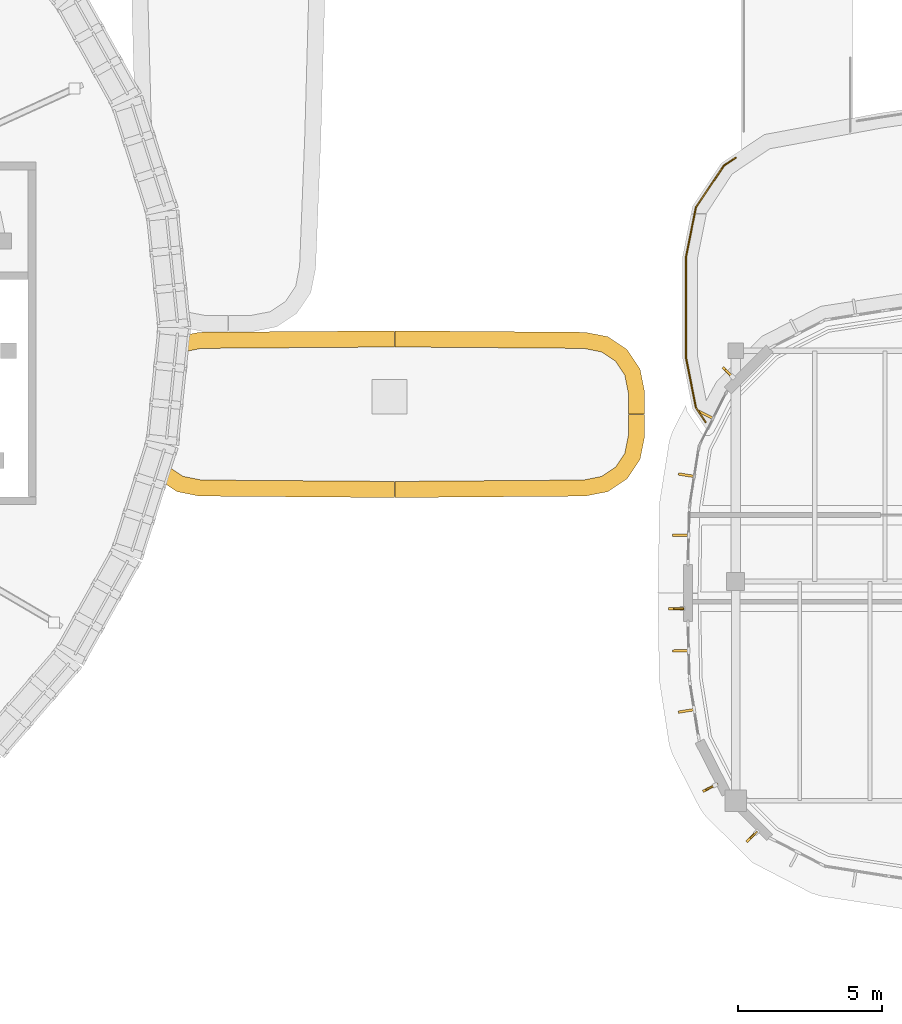
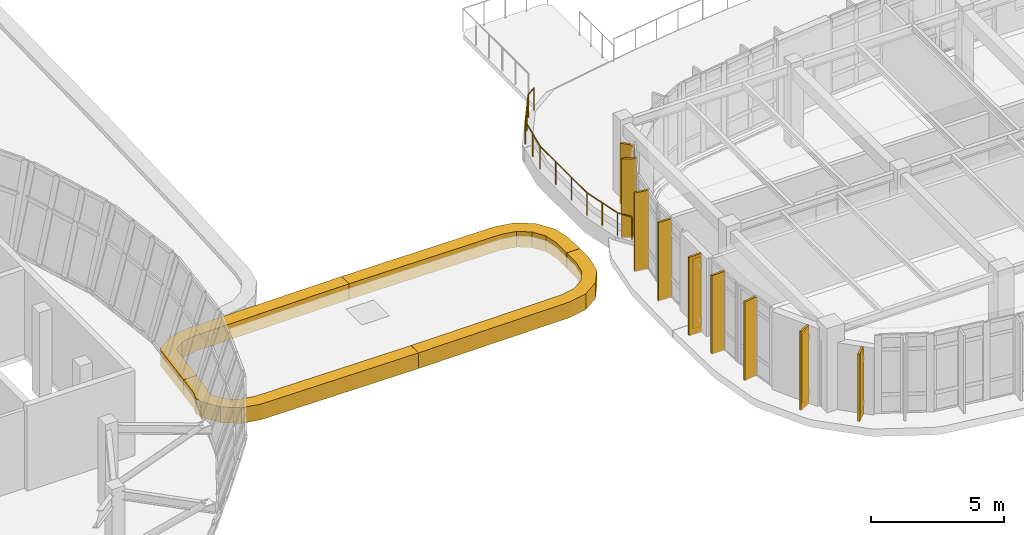
# One storey, part 98 of 111: 13 coverings, 4 shading devices, 2 railings.
"""IFC4 building model written with IfcOpenShell, lengths in metres."""

from ifc_helpers import new_model, si_unit, direction, frame, origin, origin_2d, place, context, subcontext, project, spatial, polyline, rectangle, circle, outline, extrude, material, layer, layer_set, type_object, element, save


model = new_model("IFC4")

# Units and contexts
model_context = context("Model", 3, precision=1e-05, world=origin(), true_north=direction((0.0, 1.0)))
body_context = subcontext(model_context, "Body", "Model", "MODEL_VIEW")
ifc_project = project(units=[si_unit("LENGTHUNIT", "METRE"), si_unit("AREAUNIT", "SQUARE_METRE"), si_unit("VOLUMEUNIT", "CUBIC_METRE"), si_unit("PLANEANGLEUNIT", "RADIAN"), si_unit("MASSUNIT", "GRAM", prefix="KILO")], contexts=[model_context])

# Site, building, storey
site_placement = place(None, origin())
site = spatial("IfcSite", under=ifc_project, at=site_placement, CompositionType="ELEMENT")
building_placement = place(site_placement, origin())
building = spatial("IfcBuilding", under=site, at=building_placement, Name="Corveleigh Park Community Centre", CompositionType="ELEMENT")
storey_placement = place(building_placement, frame((0.0, 0.0, 4.800048828125)))
storey = spatial("IfcBuildingStorey", under=building, at=storey_placement, Name="L01", CompositionType="ELEMENT", Elevation=4.800048828125)

# Coverings
ifc_material_1 = material(Name="Warm buff ribbed architectural cladding", Category="masonry")
ifc_layer_1 = layer(ifc_material_1, 0.0849609375, Name="Warm buff ribbed architectural cladding", Category="masonry")
ifc_layer_set_1 = layer_set([ifc_layer_1], Name="Warm buff ribbed architectural cladding")
covering_type_1 = type_object("IfcCoveringType", Name="COV-CLD-BUF", PredefinedType="CLADDING", material=ifc_layer_set_1)
covering_1_placement = place(storey_placement, origin())
element("IfcCovering", 1, at=covering_1_placement, inside=storey, type_object=covering_type_1, Name="V3 L01 Brise-soleil blade 231", PredefinedType="CLADDING", context=body_context, shape_type="SweptSolid", body=[
    extrude(outline(polyline([(71.905029296875, 25.822021484375), (71.965087890625, 25.882080078125), (71.5859375, 26.260009765625), (71.52587890625, 26.199951171875), (71.905029296875, 25.822021484375)])), origin(), (0.0, 0.0, 1.0), 3.119873046875),
])
covering_2_placement = place(storey_placement, origin())
element("IfcCovering", 2, at=covering_2_placement, inside=storey, type_object=covering_type_1, Name="V3 L01 Brise-soleil blade 232", PredefinedType="CLADDING", context=body_context, shape_type="SweptSolid", body=[
    extrude(outline(polyline([(71.215087890625, 24.402099609375), (71.2529296875, 24.47802734375), (70.736083984375, 24.740966796875), (70.697998046875, 24.6650390625), (71.215087890625, 24.402099609375)])), origin(), (0.0, 0.0, 1.0), 3.612060546875),
])
covering_3_placement = place(storey_placement, origin())
element("IfcCovering", 3, at=covering_3_placement, inside=storey, type_object=covering_type_1, Name="V3 L01 Brise-soleil blade 233", PredefinedType="CLADDING", context=body_context, shape_type="SweptSolid", body=[
    extrude(outline(polyline([(70.577880859375, 22.39599609375), (70.591064453125, 22.47998046875), (70.01904296875, 22.571044921875), (70.0048828125, 22.487060546875), (70.577880859375, 22.39599609375)])), origin(), (0.0, 0.0, 1.0), 3.612060546875),
])
covering_4_placement = place(storey_placement, origin())
element("IfcCovering", 4, at=covering_4_placement, inside=storey, type_object=covering_type_1, Name="V3 L01 Brise-soleil blade 234", PredefinedType="CLADDING", context=body_context, shape_type="SweptSolid", body=[
    extrude(outline(polyline([(70.39306640625, 20.35205078125), (70.39501953125, 20.43701171875), (69.81494140625, 20.451904296875), (69.81298828125, 20.366943359375), (70.39306640625, 20.35205078125)])), origin(), (0.0, 0.0, 1.0), 3.612060546875),
])
covering_5_placement = place(storey_placement, origin())
element("IfcCovering", 5, at=covering_5_placement, inside=storey, type_object=covering_type_1, Name="V3 L01 Brise-soleil blade 235", PredefinedType="CLADDING", context=body_context, shape_type="SweptSolid", body=[
    extrude(outline(polyline([(70.212890625, 17.81591796875), (70.212890625, 17.90087890625), (69.677978515625, 17.90087890625), (69.677978515625, 17.81591796875), (70.212890625, 17.81591796875)])), origin(), (0.0, 0.0, 1.0), 3.612060546875),
])
covering_6_placement = place(storey_placement, origin())
element("IfcCovering", 6, at=covering_6_placement, inside=storey, type_object=covering_type_1, Name="V3 L01 Brise-soleil blade 236", PredefinedType="CLADDING", context=body_context, shape_type="SweptSolid", body=[
    extrude(outline(polyline([(70.39501953125, 16.363037109375), (70.39306640625, 16.447998046875), (69.81298828125, 16.43310546875), (69.81494140625, 16.347900390625), (70.39501953125, 16.363037109375)])), origin(), (0.0, 0.0, 1.0), 3.612060546875),
])
covering_7_placement = place(storey_placement, origin())
element("IfcCovering", 7, at=covering_7_placement, inside=storey, type_object=covering_type_1, Name="V3 L01 Brise-soleil blade 237", PredefinedType="CLADDING", context=body_context, shape_type="SweptSolid", body=[
    extrude(outline(polyline([(70.591064453125, 14.320068359375), (70.577880859375, 14.404052734375), (70.0048828125, 14.31298828125), (70.01904296875, 14.22900390625), (70.591064453125, 14.320068359375)])), origin(), (0.0, 0.0, 1.0), 3.619873046875),
])
covering_8_placement = place(storey_placement, origin())
element("IfcCovering", 8, at=covering_8_placement, inside=storey, type_object=covering_type_1, Name="V3 L01 Brise-soleil blade 238", PredefinedType="CLADDING", context=body_context, shape_type="SweptSolid", body=[
    extrude(outline(polyline([(71.35888671875, 11.72998046875), (71.320068359375, 11.804931640625), (70.843994140625, 11.56201171875), (70.882080078125, 11.487060546875), (71.35888671875, 11.72998046875)])), origin(), (0.0, 0.0, 1.0), 3.619873046875),
])
covering_9_placement = place(storey_placement, origin())
element("IfcCovering", 9, at=covering_9_placement, inside=storey, type_object=covering_type_1, Name="V3 L01 Brise-soleil blade 239", PredefinedType="CLADDING", context=body_context, shape_type="SweptSolid", body=[
    extrude(outline(polyline([(72.7919921875, 10.118896484375), (72.73193359375, 10.178955078125), (72.35400390625, 9.801025390625), (72.4140625, 9.739990234375), (72.7919921875, 10.118896484375)])), origin(), (0.0, 0.0, 1.0), 3.10791015625),
])
ifc_material_2 = material(Name="White architectural fascia cladding", Category="masonry")
ifc_layer_2 = layer(ifc_material_2, 0.074951171875, Name="White architectural fascia cladding", Category="masonry")
ifc_layer_set_2 = layer_set([ifc_layer_2], Name="White architectural fascia cladding")
covering_type_2 = type_object("IfcCoveringType", Name="COV-CLD-WHT", PredefinedType="CLADDING", material=ifc_layer_set_2)
covering_10_placement = place(storey_placement, frame((0.0, 0.0, -0.52001953125)))
element("IfcCovering", 10, at=covering_10_placement, inside=storey, type_object=covering_type_2, Name="Covered Passage South Canopy White Fascia 1", PredefinedType="CLADDING", context=body_context, shape_type="SweptSolid", body=[
    extrude(outline(polyline([(60.181884765625, 27.489990234375), (66.7919921875, 27.43896484375), (67.570068359375, 27.283935546875), (68.23193359375, 26.843017578125), (68.68603515625, 26.1630859375), (68.840087890625, 25.384033203125), (68.841064453125, 24.60009765625), (68.281005859375, 24.59912109375), (68.280029296875, 25.33203125), (68.156982421875, 25.951904296875), (67.8349609375, 26.43505859375), (67.35205078125, 26.757080078125), (66.72900390625, 26.881103515625), (60.181884765625, 26.929931640625), (60.181884765625, 27.489990234375)])), origin(), (0.0, 0.0, 1.0), 0.719970703125),
])
covering_11_placement = place(storey_placement, frame((0.0, 0.0, -0.52001953125)))
element("IfcCovering", 11, at=covering_11_placement, inside=storey, type_object=covering_type_2, Name="Covered Passage South Canopy White Fascia 2", PredefinedType="CLADDING", context=body_context, shape_type="SweptSolid", body=[
    extrude(outline(polyline([(51.968017578125, 26.843017578125), (52.6298828125, 27.283935546875), (53.4150390625, 27.43994140625), (60.179931640625, 27.489990234375), (60.179931640625, 26.929931640625), (53.469970703125, 26.881103515625), (52.847900390625, 26.757080078125), (52.4208984375, 26.472900390625), (52.22705078125, 24.59912109375), (51.6640625, 24.60009765625), (51.883056640625, 26.712890625), (51.968017578125, 26.843017578125)])), origin(), (0.0, 0.0, 1.0), 0.719970703125),
])
covering_12_placement = place(storey_placement, frame((0.0, 0.0, -0.52001953125)))
element("IfcCovering", 12, at=covering_12_placement, inside=storey, type_object=covering_type_2, Name="Covered Passage South Canopy White Fascia 3", PredefinedType="CLADDING", context=body_context, shape_type="SweptSolid", body=[
    extrude(outline(polyline([(60.179931640625, 21.708984375), (53.407958984375, 21.760986328125), (52.6298828125, 21.916015625), (51.968017578125, 22.35693359375), (51.51611328125, 23.030029296875), (51.45703125, 23.325927734375), (51.572021484375, 23.7041015625), (51.6630859375, 24.591064453125), (52.22607421875, 24.591064453125), (52.1279296875, 23.64208984375), (52.04296875, 23.2470703125), (52.364990234375, 22.764892578125), (52.847900390625, 22.443115234375), (53.470947265625, 22.319091796875), (60.179931640625, 22.26904296875), (60.179931640625, 21.708984375)])), origin(), (0.0, 0.0, 1.0), 0.719970703125),
])
covering_13_placement = place(storey_placement, frame((0.0, 0.0, -0.52001953125)))
element("IfcCovering", 13, at=covering_13_placement, inside=storey, type_object=covering_type_2, Name="Covered Passage South Canopy White Fascia 4", PredefinedType="CLADDING", context=body_context, shape_type="SweptSolid", body=[
    extrude(outline(polyline([(68.840087890625, 23.81591796875), (68.68408203125, 23.030029296875), (68.242919921875, 22.367919921875), (67.56298828125, 21.9140625), (66.784912109375, 21.760009765625), (60.181884765625, 21.708984375), (60.181884765625, 22.26904296875), (66.72998046875, 22.319091796875), (67.35205078125, 22.443115234375), (67.8349609375, 22.764892578125), (68.156982421875, 23.248046875), (68.280029296875, 23.866943359375), (68.281005859375, 24.591064453125), (68.841064453125, 24.591064453125), (68.840087890625, 23.81591796875)])), origin(), (0.0, 0.0, 1.0), 0.719970703125),
])

# Railings
ifc_material_3 = material(Name="Stainless steel 316 balustrade", Category="steel")
railing_type = type_object("IfcRailingType", Name="RLG-BAL-EXT-1100", PredefinedType="BALUSTRADE", material=ifc_material_3)
railing_1_placement = place(storey_placement, frame((70.6201171875, 24.8310546875, 0.0)))
element("IfcRailing", 14, at=railing_1_placement, inside=storey, type_object=railing_type, Name="Banquet Courtyard Roof Terrace guard 4", PredefinedType="BALUSTRADE", context=body_context, shape_type="SweptSolid", body=[
    extrude(circle(Radius=0.02392578125, at=origin_2d()), frame((0.0, 0.0, 1.076171875), z_axis=(-0.194744804061, 0.980853944933, 0.0), x_axis=(-0.980853944933, -0.194744804061, 0.0)), (0.0, 0.0, 1.0), 1.746337890625),
    extrude(circle(Radius=0.02392578125, at=origin_2d()), frame((-0.340087890625, 1.712890625, 1.076171875), z_axis=(0.0, 1.0, 0.0), x_axis=(-1.0, 0.0, 0.0)), (0.0, 0.0, 1.0), 3.511962890625),
    extrude(circle(Radius=0.02392578125, at=origin_2d()), frame((-0.340087890625, 5.224853515625, 1.076171875), z_axis=(0.194718103117, 0.980859245926, 0.0), x_axis=(-0.980859245926, 0.194718103117, 0.0)), (0.0, 0.0, 1.0), 1.74658203125),
    extrude(circle(Radius=0.02392578125, at=origin_2d()), frame((0.0, 6.93798828125, 1.076171875), z_axis=(0.556385072784, 0.830924575869, 0.0), x_axis=(-0.830924575869, 0.556385072784, 0.0)), (0.0, 0.0, 1.0), 1.737548828125),
    extrude(circle(Radius=0.02392578125, at=origin_2d()), frame((0.966796875, 8.3818359375, 1.076171875), z_axis=(0.830461180334, 0.557076500992, 0.0), x_axis=(-0.557076500992, 0.830461180334, 0.0)), (0.0, 0.0, 1.0), 0.497314453125),
    extrude(circle(Radius=0.02099609375, at=origin_2d()), origin(), (0.0, 0.0, 1.0), 1.052001953125),
    extrude(circle(Radius=0.02099609375, at=origin_2d()), frame((-0.169921875, 0.8564453125, 0.0)), (0.0, 0.0, 1.0), 1.052001953125),
    extrude(circle(Radius=0.02099609375, at=origin_2d()), frame((-0.340087890625, 1.712890625, 0.0)), (0.0, 0.0, 1.0), 1.052001953125),
    extrude(circle(Radius=0.02099609375, at=origin_2d()), frame((-0.340087890625, 2.883544921875, 0.0)), (0.0, 0.0, 1.0), 1.052001953125),
    extrude(circle(Radius=0.02099609375, at=origin_2d()), frame((-0.340087890625, 4.05419921875, 0.0)), (0.0, 0.0, 1.0), 1.052001953125),
    extrude(circle(Radius=0.02099609375, at=origin_2d()), frame((-0.340087890625, 5.224853515625, 0.0)), (0.0, 0.0, 1.0), 1.052001953125),
    extrude(circle(Radius=0.02099609375, at=origin_2d()), frame((-0.169921875, 6.08154296875, 0.0)), (0.0, 0.0, 1.0), 1.052001953125),
    extrude(circle(Radius=0.02099609375, at=origin_2d()), frame((0.0, 6.93798828125, 0.0)), (0.0, 0.0, 1.0), 1.052001953125),
    extrude(circle(Radius=0.02099609375, at=origin_2d()), frame((0.4833984375, 7.659912109375, 0.0)), (0.0, 0.0, 1.0), 1.052001953125),
    extrude(circle(Radius=0.02099609375, at=origin_2d()), frame((0.966796875, 8.3818359375, 0.0)), (0.0, 0.0, 1.0), 1.052001953125),
    extrude(circle(Radius=0.02099609375, at=origin_2d()), frame((1.3798828125, 8.658935546875, 0.0)), (0.0, 0.0, 1.0), 1.052001953125),
])
railing_2_placement = place(storey_placement, frame((70.9541015625, 24.33203125, 0.0)))
element("IfcRailing", 15, at=railing_2_placement, inside=storey, type_object=railing_type, Name="Banquet Courtyard Roof Terrace guard 6", PredefinedType="BALUSTRADE", context=body_context, shape_type="SweptSolid", body=[
    extrude(circle(Radius=0.02392578125, at=origin_2d()), frame((0.0, 0.0, 1.076171875), z_axis=(-0.556200509324, 0.831048129429, 0.0), x_axis=(-0.831048129429, -0.556200509324, 0.0)), (0.0, 0.0, 1.0), 0.6005859375),
    extrude(circle(Radius=0.02099609375, at=origin_2d()), origin(), (0.0, 0.0, 1.0), 1.052001953125),
    extrude(circle(Radius=0.02099609375, at=origin_2d()), frame((-0.333984375, 0.4990234375, 0.0)), (0.0, 0.0, 1.0), 1.052001953125),
])

# Shading devices
ifc_material_4 = material(Name="Terracotta-anodised aluminium fin", Category="masonry")
shading_device_type_1 = type_object("IfcShadingDeviceType", Name="SHD-FIN-TER-350", PredefinedType="USERDEFINED", material=ifc_material_4)
shading_device_1_placement = place(storey_placement, frame((70.02294921875, 17.85888671875, 0.25), z_axis=(0.0, 0.0, 1.0), x_axis=(-1.0, 0.0, 0.0)))
element("IfcShadingDevice", 16, at=shading_device_1_placement, inside=storey, type_object=shading_device_type_1, Name="Terracotta brise-soleil fin 41", ObjectType="FIN", PredefinedType="USERDEFINED", context=body_context, shape_type="SweptSolid", body=[
    extrude(rectangle(XDim=0.35009765625, YDim=0.06005859375, at=origin_2d()), origin(), (0.0, 0.0, 1.0), 3.2119140625),
])
shading_device_2_placement = place(storey_placement, frame((72.6279296875, 10.013916015625, 0.25), z_axis=(0.0, 0.0, 1.0), x_axis=(-0.707106781187, -0.707106781187, 0.0)))
element("IfcShadingDevice", 17, at=shading_device_2_placement, inside=storey, type_object=shading_device_type_1, Name="Terracotta brise-soleil fin 43", ObjectType="FIN", PredefinedType="USERDEFINED", context=body_context, shape_type="SweptSolid", body=[
    extrude(rectangle(XDim=0.35009765625, YDim=0.06005859375, at=origin_2d()), origin(), (0.0, 0.0, 1.0), 2.7080078125),
])
shading_device_type_2 = type_object("IfcShadingDeviceType", Name="SHD-FIN-TER-450", PredefinedType="USERDEFINED", material=ifc_material_4)
shading_device_3_placement = place(storey_placement, frame((71.800048828125, 25.986083984375, 0.25), z_axis=(0.0, 0.0, 1.0), x_axis=(-0.707106781187, 0.707106781187, 0.0)))
element("IfcShadingDevice", 18, at=shading_device_3_placement, inside=storey, type_object=shading_device_type_2, Name="Terracotta brise-soleil fin 40", ObjectType="FIN", PredefinedType="USERDEFINED", context=body_context, shape_type="SweptSolid", body=[
    extrude(rectangle(XDim=0.449951171875, YDim=0.06494140625, at=origin_2d()), origin(), (0.0, 0.0, 1.0), 2.719970703125),
])
shading_device_4_placement = place(storey_placement, frame((71.169921875, 11.680908203125, 0.25), z_axis=(0.0, 0.0, 1.0), x_axis=(-0.890890679418, -0.454217786228, 0.0)))
element("IfcShadingDevice", 19, at=shading_device_4_placement, inside=storey, type_object=shading_device_type_2, Name="Terracotta brise-soleil fin 42", ObjectType="FIN", PredefinedType="USERDEFINED", context=body_context, shape_type="SweptSolid", body=[
    extrude(rectangle(XDim=0.449951171875, YDim=0.06494140625, at=origin_2d()), origin(), (0.0, 0.0, 1.0), 3.219970703125),
])

save(model, "model.ifc")
